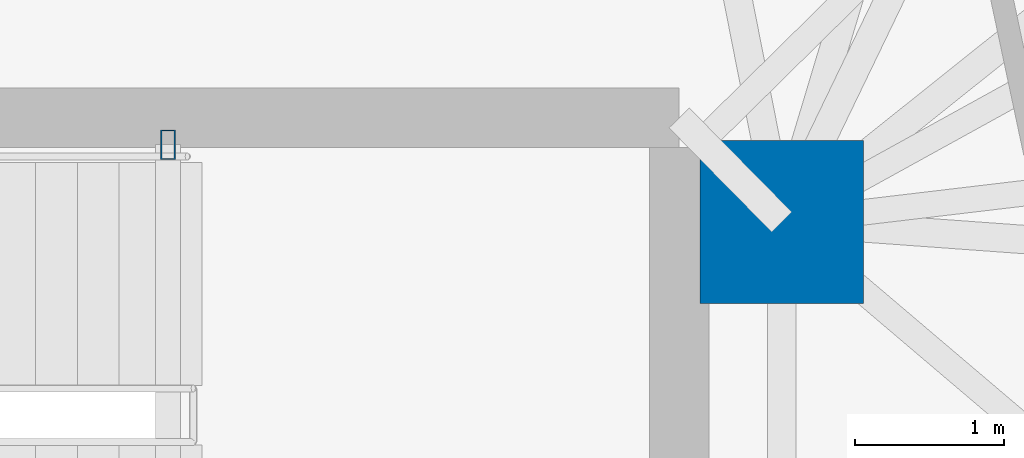
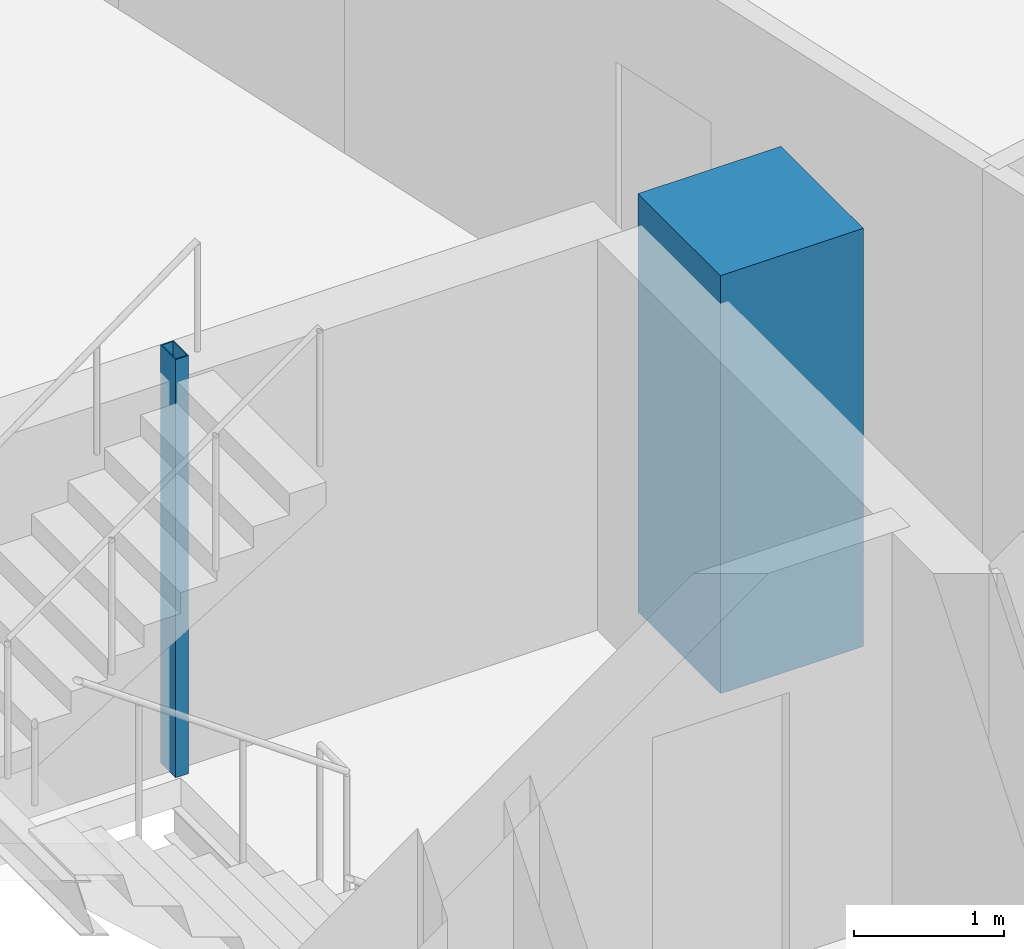
# One storey, part 4 of 19: 2 columns.
"""IFC4 building model written with IfcOpenShell, lengths in metres."""

import ifcopenshell
import ifcopenshell.guid

model = None  # the IFC model being written
_history = None  # IfcOwnerHistory: only IFC2X3 demands one
_inside = {}  # id of a spatial element -> (the spatial element, [elements in it])
_under = {}  # id of a project, library or spatial element -> (it, [spatial elements below it])
_declared = {}  # id of a project -> (the project, [libraries it declares])
_typed = {}  # id of a type object -> (the type object, [elements of that type])
_made_of = {}  # id of a material, layer set ... -> (it, [elements and type objects made of it])


def new_model(schema):
    """Start an empty IFC model of exactly this schema.

    Asked for "IFC4X3", IfcOpenShell would pick the latest addendum, in which some entities
    have other attributes; the version numbers below select the first issue.
    IFC2X3 requires an IfcOwnerHistory on every rooted entity: one is made here for all.
    """
    global model, _history
    if schema == "IFC4X3":
        model = ifcopenshell.file(schema_version=(4, 3, 0, 0))
    else:
        model = ifcopenshell.file(schema=schema)
    _inside.clear()
    _under.clear()
    _declared.clear()
    _typed.clear()
    _made_of.clear()
    _history = None
    if model.schema == "IFC2X3":
        org = make("IfcOrganization", Name="unknown")
        user = make(
            "IfcPersonAndOrganization",
            ThePerson=make("IfcPerson", FamilyName="unknown"),
            TheOrganization=org,
        )
        app = make(
            "IfcApplication",
            ApplicationDeveloper=org,
            Version="unknown",
            ApplicationFullName="unknown",
            ApplicationIdentifier="unknown",
        )
        _history = make(
            "IfcOwnerHistory",
            OwningUser=user,
            OwningApplication=app,
            ChangeAction="ADDED",
            CreationDate=0,
        )
    return model


def make(cls, **values):
    """One entity of the class cls with the attributes given. An attribute that is None is left unset."""
    return model.create_entity(
        cls, **{name: value for name, value in values.items() if value is not None}
    )


def rooted(cls, **values):
    """An entity with a GlobalId (a new one), such as an element, a storey or a relation."""
    return make(cls, GlobalId=ifcopenshell.guid.new(), OwnerHistory=_history, **values)


def si_unit(unit_type, name, prefix=None):
    """IfcSIUnit, for example si_unit("LENGTHUNIT", "METRE", prefix="MILLI")."""
    return make("IfcSIUnit", UnitType=unit_type, Prefix=prefix, Name=name)


def assignment(units):
    """IfcUnitAssignment: the units of a project."""
    return None if units is None else make("IfcUnitAssignment", Units=units)


def point(xyz):
    """IfcCartesianPoint."""
    return None if xyz is None else make("IfcCartesianPoint", Coordinates=xyz)


def direction(xyz):
    """IfcDirection."""
    return None if xyz is None else make("IfcDirection", DirectionRatios=xyz)


def frame(location, z_axis=None, x_axis=None):
    """IfcAxis2Placement3D, a coordinate frame: its origin and axes. An axis left out is left unset."""
    return make(
        "IfcAxis2Placement3D",
        Location=point(location),
        Axis=direction(z_axis),
        RefDirection=direction(x_axis),
    )


def frame_2d(location, x_axis=None):
    """IfcAxis2Placement2D, a coordinate frame in the plane: its origin and x axis."""
    return make(
        "IfcAxis2Placement2D", Location=point(location), RefDirection=direction(x_axis)
    )


def origin():
    """The frame at (0, 0, 0) with its axes left unset."""
    return frame((0.0, 0.0, 0.0))


def origin_2d():
    """The frame at (0, 0) in the plane with its x axis left unset."""
    return frame_2d((0.0, 0.0))


def place(relative_to, where):
    """IfcLocalPlacement: puts the frame where relative to a parent placement (None: the world)."""
    return make(
        "IfcLocalPlacement", PlacementRelTo=relative_to, RelativePlacement=where
    )


def context(
    kind, dimensions, precision=None, world=None, true_north=None, identifier=None
):
    """IfcGeometricRepresentationContext, for example the 3D "Model" context."""
    return make(
        "IfcGeometricRepresentationContext",
        ContextIdentifier=identifier,
        ContextType=kind,
        CoordinateSpaceDimension=dimensions,
        Precision=precision,
        WorldCoordinateSystem=world,
        TrueNorth=true_north,
    )


def subcontext(parent, identifier, kind, view, scale=None):
    """IfcGeometricRepresentationSubContext, for example "Body" below "Model"."""
    return make(
        "IfcGeometricRepresentationSubContext",
        ContextIdentifier=identifier,
        ContextType=kind,
        ParentContext=parent,
        TargetScale=scale,
        TargetView=view,
    )


def project(units=None, contexts=None):
    """IfcProject with its units and contexts."""
    return rooted(
        "IfcProject",
        Name="project",
        RepresentationContexts=contexts,
        UnitsInContext=assignment(units),
    )


def spatial(cls, under=None, at=None, **own):
    """A site, building, storey or space (cls), placed at a placement, below another one or the project."""
    s = rooted(cls, ObjectPlacement=at, **own)
    if under is not None:
        _under.setdefault(under.id(), (under, []))[1].append(s)
    return s


def profile(cls, at=None, kind="AREA", **sizes):
    """A parametric profile (cls). Its sizes go by their IFC names, for example OverallWidth=200.0."""
    return make(cls, ProfileType=kind, Position=at, **sizes)


def rectangle(**sizes):
    """IfcRectangleProfileDef."""
    return profile("IfcRectangleProfileDef", **sizes)


def hollow_rectangle(**sizes):
    """IfcRectangleHollowProfileDef."""
    return profile("IfcRectangleHollowProfileDef", **sizes)


def extrude(swept, where, along, depth):
    """IfcExtrudedAreaSolid: the profile swept, set in the frame where, extruded along a direction by depth."""
    return make(
        "IfcExtrudedAreaSolid",
        SweptArea=swept,
        Position=where,
        ExtrudedDirection=direction(along),
        Depth=depth,
    )


def shape(context_of_items, identifier, shape_type, items):
    """IfcShapeRepresentation: the items that make up one representation, for example the "Body"."""
    return make(
        "IfcShapeRepresentation",
        ContextOfItems=context_of_items,
        RepresentationIdentifier=identifier,
        RepresentationType=shape_type,
        Items=items,
    )


def material(Name=None, Category=None):
    """IfcMaterial."""
    return make("IfcMaterial", Name=Name, Category=Category)


def material_profile(
    of_material, cross_section, Name=None, Category=None, Priority=None
):
    """IfcMaterialProfile: a cross section and its material."""
    return make(
        "IfcMaterialProfile",
        Name=Name,
        Material=of_material,
        Profile=cross_section,
        Priority=Priority,
        Category=Category,
    )


def profile_set(profiles, Name=None, composite=None):
    """IfcMaterialProfileSet."""
    return make(
        "IfcMaterialProfileSet",
        Name=Name,
        MaterialProfiles=profiles,
        CompositeProfile=composite,
    )


def made_of(thing, what):
    """Note that an element or type object is made of a material, layer set ...; save() writes the relation."""
    if what is not None:
        _made_of.setdefault(what.id(), (what, []))[1].append(thing)
    return thing


def type_object(cls, material=None, **own):
    """A type object (cls), such as IfcWallType, which elements share."""
    return made_of(rooted(cls, **own), material)


def element(
    cls,
    number,
    at=None,
    inside=None,
    cuts=None,
    type_object=None,
    material=None,
    context=None,
    identifier="Body",
    shape_type=None,
    held_by="IfcProductDefinitionShape",
    body=None,
    shapes=None,
    **own,
):
    """One element of the class cls, such as IfcWall. Its Tag is "e" and its number.

    at: its placement. inside: the storey or other place that contains it. cuts: it is an
    opening in that element (IfcRelVoidsElement). A single representation is given by context,
    identifier, shape_type and body (its items); several are given by shapes. held_by: the class
    of the entity that holds the representations. save() writes the other relations.
    """
    e = rooted(cls, Tag="e%d" % number, ObjectPlacement=at, **own)
    if body is not None:
        shapes = [shape(context, identifier, shape_type, body)]
    if shapes is not None:
        e.Representation = make(held_by, Representations=shapes)
    if inside is not None:
        _inside.setdefault(inside.id(), (inside, []))[1].append(e)
    if cuts is not None:
        rooted(
            "IfcRelVoidsElement", RelatingBuildingElement=cuts, RelatedOpeningElement=e
        )
    if type_object is not None:
        _typed.setdefault(type_object.id(), (type_object, []))[1].append(e)
    return made_of(e, material)


def aggregate(whole, parts):
    """IfcRelAggregates: a whole, such as a stair, and the parts it consists of."""
    return rooted("IfcRelAggregates", RelatingObject=whole, RelatedObjects=parts)


def save(model, path):
    """Write the relations noted so far, then the file.

    IfcRelAggregates (storeys below a building ...), IfcRelContainedInSpatialStructure (elements
    in a storey), IfcRelDefinesByType, IfcRelAssociatesMaterial and IfcRelDeclares: one each for
    every whole, place, type object, material and project.
    """
    for whole, parts in _under.values():
        aggregate(whole, parts)
    for where, things in _inside.values():
        rooted(
            "IfcRelContainedInSpatialStructure",
            RelatedElements=things,
            RelatingStructure=where,
        )
    for kind, things in _typed.values():
        rooted("IfcRelDefinesByType", RelatedObjects=things, RelatingType=kind)
    for what, things in _made_of.values():
        rooted("IfcRelAssociatesMaterial", RelatedObjects=things, RelatingMaterial=what)
    for by, libraries in _declared.values():
        rooted("IfcRelDeclares", RelatingContext=by, RelatedDefinitions=libraries)
    model.write(path)


model = new_model("IFC4")

# Units and contexts
model_context = context("Model", 3, precision=1e-05, world=origin(), true_north=direction((0.0, 1.0)))
body_context = subcontext(model_context, "Body", "Model", "MODEL_VIEW")
ifc_project = project(units=[si_unit("LENGTHUNIT", "METRE"), si_unit("AREAUNIT", "SQUARE_METRE"), si_unit("VOLUMEUNIT", "CUBIC_METRE"), si_unit("PLANEANGLEUNIT", "RADIAN"), si_unit("MASSUNIT", "GRAM", prefix="KILO")], contexts=[model_context])

# Site, building, storey
site_placement = place(None, origin())
site = spatial("IfcSite", under=ifc_project, at=site_placement, CompositionType="ELEMENT")
building_placement = place(site_placement, origin())
building = spatial("IfcBuilding", under=site, at=building_placement, Name="Menara Jurai Vektor", CompositionType="ELEMENT")
storey_placement = place(building_placement, frame((0.0, 0.0, 154.800048828125)))
storey = spatial("IfcBuildingStorey", under=building, at=storey_placement, Name="L39", CompositionType="ELEMENT", Elevation=154.800048828125)

# Columns
ifc_material_1 = material(Name="Concrete C50/60", Category="concrete")
ifc_material_profile_1 = material_profile(ifc_material_1, rectangle(XDim=1.10009765625, YDim=1.10009765625, at=origin_2d()), Name="RC 1100x1100")
ifc_profile_set_1 = profile_set([ifc_material_profile_1], Name="Concrete C50/60")
column_type_1 = type_object("IfcColumnType", Name="STR-COL-RC1100", PredefinedType="COLUMN", material=ifc_profile_set_1)
column_1_placement = place(storey_placement, frame((15.25, 4.89990234375, 0.0), z_axis=(0.0, 0.0, 1.0), x_axis=(1.0, 0.0, 0.0)))
element("IfcColumn", 1, at=column_1_placement, inside=storey, type_object=column_type_1, Name="Core Spine Column CE-NE L39", PredefinedType="COLUMN", context=body_context, shape_type="SweptSolid", body=[
    extrude(rectangle(XDim=1.10009765625, YDim=1.10009765625, at=origin_2d()), origin(), (0.0, 0.0, 1.0), 3.39990234375),
])
ifc_material_2 = material(Name="Steel S355", Category="steel")
ifc_material_profile_2 = material_profile(ifc_material_2, hollow_rectangle(XDim=0.10009765625, YDim=0.199951171875, WallThickness=0.008056640625, at=origin_2d()), Name="RHS 200x100x8")
ifc_profile_set_2 = profile_set([ifc_material_profile_2], Name="Steel S355")
column_type_2 = type_object("IfcColumnType", Name="STR-COL-STAIR", PredefinedType="COLUMN", material=ifc_profile_set_2)
column_2_placement = place(storey_placement, frame((11.1201171875, 5.419921875, 0.0), z_axis=(0.0, 0.0, 1.0), x_axis=(1.0, 0.0, 0.0)))
element("IfcColumn", 2, at=column_2_placement, inside=storey, type_object=column_type_2, Name="Stair Well Header Column ST2-P2 L39", PredefinedType="COLUMN", context=body_context, shape_type="SweptSolid", body=[
    extrude(hollow_rectangle(XDim=0.10009765625, YDim=0.199951171875, WallThickness=0.008056640625, at=origin_2d()), origin(), (0.0, 0.0, 1.0), 3.39990234375),
])

save(model, "model.ifc")
